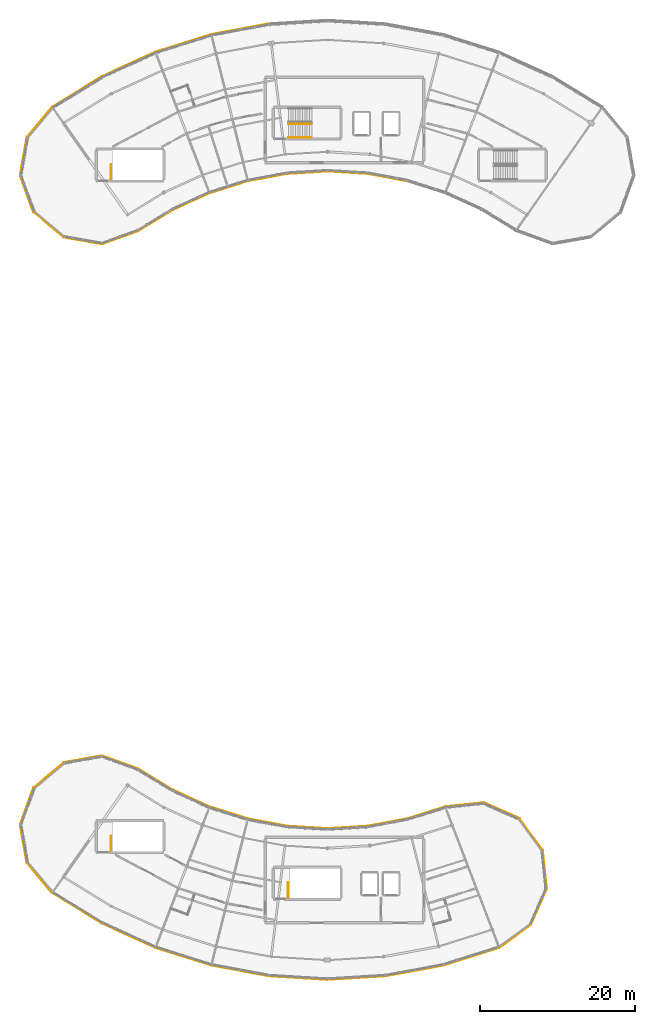
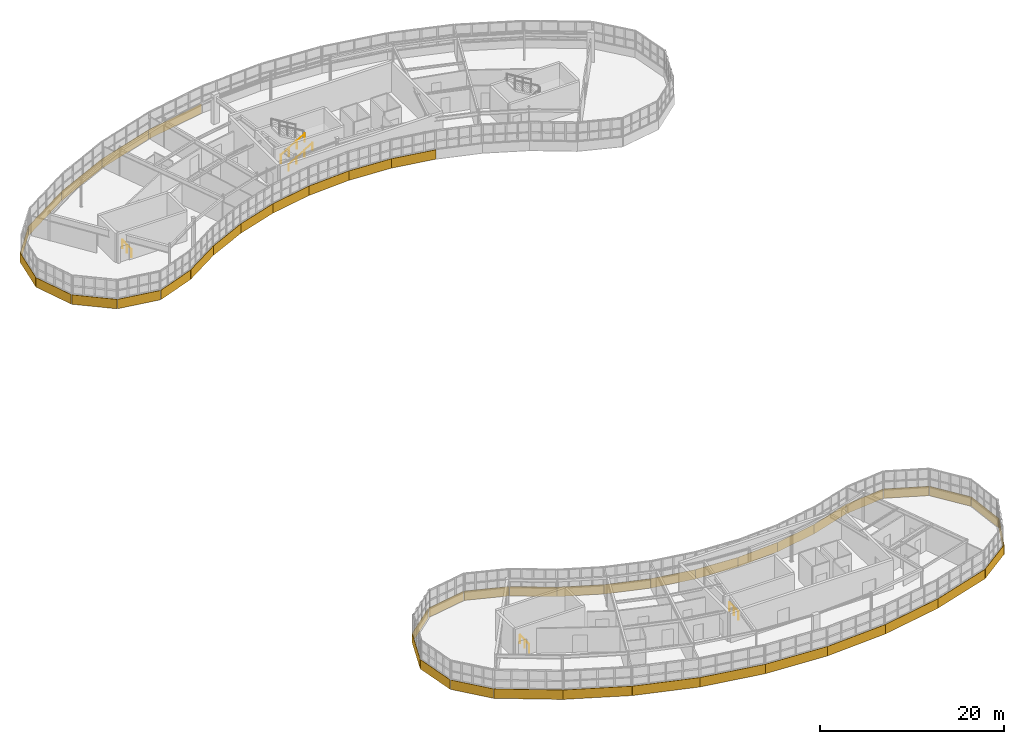
# One storey, part 58 of 60: 45 coverings, 5 railings.
"""IFC4 building model written with IfcOpenShell, lengths in metres."""

from ifc_helpers import new_model, si_unit, direction, frame, origin, origin_2d, place, context, subcontext, project, spatial, rectangle, circle, extrude, material, layer, layer_set, type_object, element, save


model = new_model("IFC4")

# Units and contexts
model_context = context("Model", 3, precision=1e-05, world=origin(), true_north=direction((0.0, 1.0)))
body_context = subcontext(model_context, "Body", "Model", "MODEL_VIEW")
ifc_project = project(units=[si_unit("LENGTHUNIT", "METRE"), si_unit("AREAUNIT", "SQUARE_METRE"), si_unit("VOLUMEUNIT", "CUBIC_METRE"), si_unit("PLANEANGLEUNIT", "RADIAN"), si_unit("MASSUNIT", "GRAM", prefix="KILO")], contexts=[model_context])

# Site, building, storey
site_placement = place(None, origin())
site = spatial("IfcSite", under=ifc_project, at=site_placement, CompositionType="ELEMENT")
building_placement = place(site_placement, origin())
building = spatial("IfcBuilding", under=site, at=building_placement, Name="Tarnwether General Hospital", CompositionType="ELEMENT")
storey_placement = place(building_placement, frame((0.0, 0.0, 26.10009765625)))
storey = spatial("IfcBuildingStorey", under=building, at=storey_placement, Name="L06", CompositionType="ELEMENT", Elevation=26.10009765625)

# Coverings
ifc_material_1 = material(Name="Streamlined white enamelled aluminium", Category="aluminium")
ifc_layer = layer(ifc_material_1, 0.044921875)
ifc_layer_set = layer_set([ifc_layer], Name="Streamlined white enamelled aluminium")
covering_type = type_object("IfcCoveringType", Name="CV-CLD-WHT", PredefinedType="CLADDING", material=ifc_layer_set)
covering_1_placement = place(storey_placement, frame((52.912109375, 107.22900390625, -0.175048828125), z_axis=(0.0, 0.0, 1.0), x_axis=(0.173459104952, 0.984841072919, 0.0)))
element("IfcCovering", 1, at=covering_1_placement, inside=storey, type_object=covering_type, Name="Streamlined White Horizontal Band NW L06 01", PredefinedType="CLADDING", context=body_context, shape_type="SweptSolid", body=[
    extrude(rectangle(XDim=4.968994140625, YDim=0.044921875, at=origin_2d()), origin(), (0.0, 0.0, 1.0), 1.25),
])
covering_2_placement = place(storey_placement, frame((53.3359375, 102.37890625, -0.175048828125), z_axis=(0.0, 0.0, 1.0), x_axis=(-0.341954539571, 0.939716496006, 0.0)))
element("IfcCovering", 2, at=covering_2_placement, inside=storey, type_object=covering_type, Name="Streamlined White Horizontal Band NW L06 02", PredefinedType="CLADDING", context=body_context, shape_type="SweptSolid", body=[
    extrude(rectangle(XDim=4.968017578125, YDim=0.044921875, at=origin_2d()), origin(), (0.0, 0.0, 1.0), 1.25),
])
for number, where, z_axis, x_axis, name in (
    (3, (56.12890625, 98.39111328125, -0.175048828125), (0.0, 0.0, 1.0), (-0.765988346401, 0.642854457228, 0.0), "Streamlined White Horizontal Band NW L06 03"),
    (4, (60.541015625, 96.333984375, -0.175048828125), (0.0, 0.0, 1.0), (-0.98480472213, 0.173665365778, 0.0), "Streamlined White Horizontal Band NW L06 04"),
):
    element("IfcCovering", number, at=place(storey_placement, frame(where, z_axis=z_axis, x_axis=x_axis)), inside=storey, type_object=covering_type, Name=name, PredefinedType="CLADDING", context=body_context, shape_type="SweptSolid", body=[
        extrude(rectangle(XDim=4.969970703125, YDim=0.044921875, at=origin_2d()), origin(), (0.0, 0.0, 1.0), 1.25),
    ])
covering_3_placement = place(storey_placement, frame((65.39111328125, 96.758056640625, -0.175048828125), z_axis=(0.0, 0.0, 1.0), x_axis=(-0.93965082813, -0.342134945884, 0.0)))
element("IfcCovering", 5, at=covering_3_placement, inside=storey, type_object=covering_type, Name="Streamlined White Horizontal Band NW L06 05", PredefinedType="CLADDING", context=body_context, shape_type="SweptSolid", body=[
    extrude(rectangle(XDim=4.968994140625, YDim=0.044921875, at=origin_2d()), origin(), (0.0, 0.0, 1.0), 1.25),
])
for number, where, z_axis, x_axis, name in (
    (6, (69.9560546875, 98.971923828125, -0.175048828125), (0.0, 0.0, 1.0), (-0.852631044904, -0.522513446015, 0.0), "Streamlined White Horizontal Band NW L06 06"),
    (7, (74.50390625, 101.389892578125, -0.175048828125), (0.0, 0.0, 1.0), (-0.909954032975, -0.414709124413, 0.0), "Streamlined White Horizontal Band NW L06 07"),
):
    element("IfcCovering", number, at=place(storey_placement, frame(where, z_axis=z_axis, x_axis=x_axis)), inside=storey, type_object=covering_type, Name=name, PredefinedType="CLADDING", context=body_context, shape_type="SweptSolid", body=[
        extrude(rectangle(XDim=5.177001953125, YDim=0.044921875, at=origin_2d()), origin(), (0.0, 0.0, 1.0), 1.25),
    ])
covering_4_placement = place(storey_placement, frame((79.31396484375, 103.237060546875, -0.175048828125), z_axis=(0.0, 0.0, 1.0), x_axis=(-0.953711702297, -0.300722444959, 0.0)))
element("IfcCovering", 8, at=covering_4_placement, inside=storey, type_object=covering_type, Name="Streamlined White Horizontal Band NW L06 08", PredefinedType="CLADDING", context=body_context, shape_type="SweptSolid", body=[
    extrude(rectangle(XDim=5.177978515625, YDim=0.044921875, at=origin_2d()), origin(), (0.0, 0.0, 1.0), 1.25),
])
for number, where, z_axis, x_axis, name in (
    (9, (84.31201171875, 104.48291015625, -0.175048828125), (0.0, 0.0, 1.0), (-0.983267627608, -0.182166880906, 0.0), "Streamlined White Horizontal Band NW L06 09"),
    (10, (89.425048828125, 105.110107421875, -0.175048828125), (0.0, 0.0, 1.0), (-0.998134798422, -0.061048539535, 0.0), "Streamlined White Horizontal Band NW L06 10"),
    (11, (94.574951171875, 105.110107421875, -0.175048828125), (0.0, 0.0, 1.0), (-0.998134798422, 0.061048539535, 0.0), "Streamlined White Horizontal Band NW L06 11"),
    (12, (99.68798828125, 104.48291015625, -0.175048828125), (0.0, 0.0, 1.0), (-0.983267627608, 0.182166880906, 0.0), "Streamlined White Horizontal Band NW L06 12"),
):
    element("IfcCovering", number, at=place(storey_placement, frame(where, z_axis=z_axis, x_axis=x_axis)), inside=storey, type_object=covering_type, Name=name, PredefinedType="CLADDING", context=body_context, shape_type="SweptSolid", body=[
        extrude(rectangle(XDim=5.177001953125, YDim=0.044921875, at=origin_2d()), origin(), (0.0, 0.0, 1.0), 1.25),
    ])
for number, where, z_axis, x_axis, name in (
    (13, (80.77099609375, 123.5849609375, -0.175048828125), (0.0, 0.0, 1.0), (0.983245364386, 0.182287008349, 0.0), "Streamlined White Horizontal Band NW L06 28"),
    (14, (73.471923828125, 121.764892578125, -0.175048828125), (0.0, 0.0, 1.0), (0.953743188648, 0.300622570855, 0.0), "Streamlined White Horizontal Band NW L06 29"),
    (15, (66.447998046875, 119.070068359375, -0.175048828125), (0.0, 0.0, 1.0), (0.909961270877, 0.414693242656, 0.0), "Streamlined White Horizontal Band NW L06 30"),
    (16, (59.805908203125, 115.5380859375, -0.175048828125), (0.0, 0.0, 1.0), (0.852631044904, 0.522513446015, 0.0), "Streamlined White Horizontal Band NW L06 31"),
):
    element("IfcCovering", number, at=place(storey_placement, frame(where, z_axis=z_axis, x_axis=x_axis)), inside=storey, type_object=covering_type, Name=name, PredefinedType="CLADDING", context=body_context, shape_type="SweptSolid", body=[
        extrude(rectangle(XDim=7.52099609375, YDim=0.044921875, at=origin_2d()), origin(), (0.0, 0.0, 1.0), 1.25),
    ])
covering_5_placement = place(storey_placement, frame((54.968994140625, 111.64111328125, -0.175048828125), z_axis=(0.0, 0.0, 1.0), x_axis=(0.642854457228, 0.765988346401, 0.0)))
element("IfcCovering", 17, at=covering_5_placement, inside=storey, type_object=covering_type, Name="Streamlined White Horizontal Band NW L06 32", PredefinedType="CLADDING", context=body_context, shape_type="SweptSolid", body=[
    extrude(rectangle(XDim=4.969970703125, YDim=0.044921875, at=origin_2d()), origin(), (0.0, 0.0, 1.0), 1.25),
])
for number, where, z_axis, x_axis, name in (
    (18, (59.805908203125, 10.4619140625, -0.175048828125), (0.0, 0.0, 1.0), (-0.852631044904, 0.522513446015, 0.0), "Streamlined White Horizontal Band SE L06 01"),
    (19, (66.447998046875, 6.929931640625, -0.175048828125), (0.0, 0.0, 1.0), (-0.909961270877, 0.414693242656, 0.0), "Streamlined White Horizontal Band SE L06 02"),
    (20, (73.471923828125, 4.235107421875, -0.175048828125), (0.0, 0.0, 1.0), (-0.953743188648, 0.300622570855, 0.0), "Streamlined White Horizontal Band SE L06 03"),
    (21, (80.77099609375, 2.4150390625, -0.175048828125), (0.0, 0.0, 1.0), (-0.983245364386, 0.182287008349, 0.0), "Streamlined White Horizontal Band SE L06 04"),
    (22, (88.238037109375, 1.498046875, -0.175048828125), (0.0, 0.0, 1.0), (-0.998135863768, 0.061031118787, 0.0), "Streamlined White Horizontal Band SE L06 05"),
    (23, (95.761962890625, 1.498046875, -0.175048828125), (0.0, 0.0, 1.0), (-0.998135863768, -0.061031118787, 0.0), "Streamlined White Horizontal Band SE L06 06"),
    (24, (103.22900390625, 2.4150390625, -0.175048828125), (0.0, 0.0, 1.0), (-0.983245364386, -0.182287008349, 0.0), "Streamlined White Horizontal Band SE L06 07"),
    (25, (110.528076171875, 4.235107421875, -0.175048828125), (0.0, 0.0, 1.0), (-0.953743188648, -0.300622570855, 0.0), "Streamlined White Horizontal Band SE L06 08"),
):
    element("IfcCovering", number, at=place(storey_placement, frame(where, z_axis=z_axis, x_axis=x_axis)), inside=storey, type_object=covering_type, Name=name, PredefinedType="CLADDING", context=body_context, shape_type="SweptSolid", body=[
        extrude(rectangle(XDim=7.52099609375, YDim=0.044921875, at=origin_2d()), origin(), (0.0, 0.0, 1.0), 1.25),
    ])
for number, where, z_axis, x_axis, name in (
    (26, (116.1630859375, 6.844970703125, -0.175048828125), (0.0, 0.0, 1.0), (-0.809058027555, -0.587728770819, 0.0), "Streamlined White Horizontal Band SE L06 09"),
    (27, (119.22705078125, 10.6279296875, -0.175048828125), (0.0, 0.0, 1.0), (-0.40667286458, -0.913573850991, 0.0), "Streamlined White Horizontal Band SE L06 10"),
):
    element("IfcCovering", number, at=place(storey_placement, frame(where, z_axis=z_axis, x_axis=x_axis)), inside=storey, type_object=covering_type, Name=name, PredefinedType="CLADDING", context=body_context, shape_type="SweptSolid", body=[
        extrude(rectangle(XDim=4.969970703125, YDim=0.044921875, at=origin_2d()), origin(), (0.0, 0.0, 1.0), 1.25),
    ])
for number, where, z_axis, x_axis, name in (
    (28, (119.989013671875, 15.43701171875, -0.175048828125), (0.0, 0.0, 1.0), (0.104441674462, -0.994531013411, 0.0), "Streamlined White Horizontal Band SE L06 11"),
    (29, (118.243896484375, 19.98193359375, -0.175048828125), (0.0, 0.0, 1.0), (0.587827611517, -0.808986216902, 0.0), "Streamlined White Horizontal Band SE L06 12"),
):
    element("IfcCovering", number, at=place(storey_placement, frame(where, z_axis=z_axis, x_axis=x_axis)), inside=storey, type_object=covering_type, Name=name, PredefinedType="CLADDING", context=body_context, shape_type="SweptSolid", body=[
        extrude(rectangle(XDim=4.968994140625, YDim=0.044921875, at=origin_2d()), origin(), (0.0, 0.0, 1.0), 1.25),
    ])
covering_6_placement = place(storey_placement, frame((114.4609375, 23.0458984375, -0.175048828125), z_axis=(0.0, 0.0, 1.0), x_axis=(0.91349575857, -0.406848250673, 0.0)))
element("IfcCovering", 30, at=covering_6_placement, inside=storey, type_object=covering_type, Name="Streamlined White Horizontal Band SE L06 13", PredefinedType="CLADDING", context=body_context, shape_type="SweptSolid", body=[
    extrude(rectangle(XDim=4.969970703125, YDim=0.044921875, at=origin_2d()), origin(), (0.0, 0.0, 1.0), 1.25),
])
covering_7_placement = place(storey_placement, frame((109.652099609375, 23.806884765625, -0.175048828125), z_axis=(0.0, 0.0, 1.0), x_axis=(0.994509117385, 0.104649966258, 0.0)))
element("IfcCovering", 31, at=covering_7_placement, inside=storey, type_object=covering_type, Name="Streamlined White Horizontal Band SE L06 14", PredefinedType="CLADDING", context=body_context, shape_type="SweptSolid", body=[
    extrude(rectangle(XDim=4.968994140625, YDim=0.044921875, at=origin_2d()), origin(), (0.0, 0.0, 1.0), 1.25),
])
covering_8_placement = place(storey_placement, frame((104.68603515625, 22.762939453125, -0.175048828125), z_axis=(0.0, 0.0, 1.0), x_axis=(0.953711702297, 0.300722444959, 0.0)))
element("IfcCovering", 32, at=covering_8_placement, inside=storey, type_object=covering_type, Name="Streamlined White Horizontal Band SE L06 15", PredefinedType="CLADDING", context=body_context, shape_type="SweptSolid", body=[
    extrude(rectangle(XDim=5.177978515625, YDim=0.044921875, at=origin_2d()), origin(), (0.0, 0.0, 1.0), 1.25),
])
for number, where, z_axis, x_axis, name in (
    (33, (99.68798828125, 21.51708984375, -0.175048828125), (0.0, 0.0, 1.0), (0.983267627608, 0.182166880906, 0.0), "Streamlined White Horizontal Band SE L06 16"),
    (34, (94.574951171875, 20.889892578125, -0.175048828125), (0.0, 0.0, 1.0), (0.998134798422, 0.061048539535, 0.0), "Streamlined White Horizontal Band SE L06 17"),
    (35, (89.425048828125, 20.889892578125, -0.175048828125), (0.0, 0.0, 1.0), (0.998134798422, -0.061048539535, 0.0), "Streamlined White Horizontal Band SE L06 18"),
    (36, (84.31201171875, 21.51708984375, -0.175048828125), (0.0, 0.0, 1.0), (0.983267627608, -0.182166880906, 0.0), "Streamlined White Horizontal Band SE L06 19"),
):
    element("IfcCovering", number, at=place(storey_placement, frame(where, z_axis=z_axis, x_axis=x_axis)), inside=storey, type_object=covering_type, Name=name, PredefinedType="CLADDING", context=body_context, shape_type="SweptSolid", body=[
        extrude(rectangle(XDim=5.177001953125, YDim=0.044921875, at=origin_2d()), origin(), (0.0, 0.0, 1.0), 1.25),
    ])
covering_9_placement = place(storey_placement, frame((79.31396484375, 22.762939453125, -0.175048828125), z_axis=(0.0, 0.0, 1.0), x_axis=(0.953711702297, -0.300722444959, 0.0)))
element("IfcCovering", 37, at=covering_9_placement, inside=storey, type_object=covering_type, Name="Streamlined White Horizontal Band SE L06 20", PredefinedType="CLADDING", context=body_context, shape_type="SweptSolid", body=[
    extrude(rectangle(XDim=5.177978515625, YDim=0.044921875, at=origin_2d()), origin(), (0.0, 0.0, 1.0), 1.25),
])
for number, where, z_axis, x_axis, name in (
    (38, (74.50390625, 24.610107421875, -0.175048828125), (0.0, 0.0, 1.0), (0.909954032975, -0.414709124413, 0.0), "Streamlined White Horizontal Band SE L06 21"),
    (39, (69.9560546875, 27.028076171875, -0.175048828125), (0.0, 0.0, 1.0), (0.852631044904, -0.522513446015, 0.0), "Streamlined White Horizontal Band SE L06 22"),
):
    element("IfcCovering", number, at=place(storey_placement, frame(where, z_axis=z_axis, x_axis=x_axis)), inside=storey, type_object=covering_type, Name=name, PredefinedType="CLADDING", context=body_context, shape_type="SweptSolid", body=[
        extrude(rectangle(XDim=5.177001953125, YDim=0.044921875, at=origin_2d()), origin(), (0.0, 0.0, 1.0), 1.25),
    ])
covering_10_placement = place(storey_placement, frame((65.39111328125, 29.241943359375, -0.175048828125), z_axis=(0.0, 0.0, 1.0), x_axis=(0.93965082813, -0.342134945884, 0.0)))
element("IfcCovering", 40, at=covering_10_placement, inside=storey, type_object=covering_type, Name="Streamlined White Horizontal Band SE L06 23", PredefinedType="CLADDING", context=body_context, shape_type="SweptSolid", body=[
    extrude(rectangle(XDim=4.968994140625, YDim=0.044921875, at=origin_2d()), origin(), (0.0, 0.0, 1.0), 1.25),
])
for number, where, z_axis, x_axis, name in (
    (41, (60.541015625, 29.666015625, -0.175048828125), (0.0, 0.0, 1.0), (0.98480472213, 0.173665365778, 0.0), "Streamlined White Horizontal Band SE L06 24"),
    (42, (56.12890625, 27.60888671875, -0.175048828125), (0.0, 0.0, 1.0), (0.765988346401, 0.642854457228, 0.0), "Streamlined White Horizontal Band SE L06 25"),
):
    element("IfcCovering", number, at=place(storey_placement, frame(where, z_axis=z_axis, x_axis=x_axis)), inside=storey, type_object=covering_type, Name=name, PredefinedType="CLADDING", context=body_context, shape_type="SweptSolid", body=[
        extrude(rectangle(XDim=4.969970703125, YDim=0.044921875, at=origin_2d()), origin(), (0.0, 0.0, 1.0), 1.25),
    ])
covering_11_placement = place(storey_placement, frame((53.3359375, 23.62109375, -0.175048828125), z_axis=(0.0, 0.0, 1.0), x_axis=(0.341954539571, 0.939716496006, 0.0)))
element("IfcCovering", 43, at=covering_11_placement, inside=storey, type_object=covering_type, Name="Streamlined White Horizontal Band SE L06 26", PredefinedType="CLADDING", context=body_context, shape_type="SweptSolid", body=[
    extrude(rectangle(XDim=4.968017578125, YDim=0.044921875, at=origin_2d()), origin(), (0.0, 0.0, 1.0), 1.25),
])
covering_12_placement = place(storey_placement, frame((52.912109375, 18.77099609375, -0.175048828125), z_axis=(0.0, 0.0, 1.0), x_axis=(-0.173459104952, 0.984841072919, 0.0)))
element("IfcCovering", 44, at=covering_12_placement, inside=storey, type_object=covering_type, Name="Streamlined White Horizontal Band SE L06 27", PredefinedType="CLADDING", context=body_context, shape_type="SweptSolid", body=[
    extrude(rectangle(XDim=4.968994140625, YDim=0.044921875, at=origin_2d()), origin(), (0.0, 0.0, 1.0), 1.25),
])
covering_13_placement = place(storey_placement, frame((54.968994140625, 14.35888671875, -0.175048828125), z_axis=(0.0, 0.0, 1.0), x_axis=(-0.642854457228, 0.765988346401, 0.0)))
element("IfcCovering", 45, at=covering_13_placement, inside=storey, type_object=covering_type, Name="Streamlined White Horizontal Band SE L06 28", PredefinedType="CLADDING", context=body_context, shape_type="SweptSolid", body=[
    extrude(rectangle(XDim=4.969970703125, YDim=0.044921875, at=origin_2d()), origin(), (0.0, 0.0, 1.0), 1.25),
])

# Railings
ifc_material_2 = material(Name="Anodised aluminium", Category="aluminium")
railing_type_1 = type_object("IfcRailingType", Name="RL-GRD-INT", PredefinedType="GUARDRAIL", material=ifc_material_2)
railing_1_placement = place(storey_placement, frame((87.0, 111.35009765625, 0.17724609375)))
element("IfcRailing", 46, at=railing_1_placement, inside=storey, type_object=railing_type_1, Name="L06 ST-01 stair guard 1", PredefinedType="GUARDRAIL", context=body_context, shape_type="SweptSolid", body=[
    extrude(circle(Radius=0.02392578125, at=origin_2d()), frame((0.0, 0.0, 1.076171875), z_axis=(0.86092931783, 0.0, 0.508724591208), x_axis=(0.0, 1.0, 0.0)), (0.0, 0.0, 1.0), 3.484619140625),
    extrude(circle(Radius=0.02099609375, at=origin_2d()), origin(), (0.0, 0.0, 1.0), 1.052001953125),
    extrude(circle(Radius=0.02099609375, at=origin_2d()), frame((1.0, 0.0, 0.5908203125)), (0.0, 0.0, 1.0), 1.052001953125),
    extrude(circle(Radius=0.02099609375, at=origin_2d()), frame((2.0, 0.0, 1.181884765625)), (0.0, 0.0, 1.0), 1.052001953125),
    extrude(circle(Radius=0.02099609375, at=origin_2d()), frame((3.0, 0.0, 1.772705078125)), (0.0, 0.0, 1.0), 1.052001953125),
])
for number, where, name in (
    (47, (86.949951171875, 11.800048828125, 0.0), "L06 ST-02 top well guard 1"),
    (48, (64.14990234375, 104.199951171875, 0.0), "L06 ST-07 top well guard 1"),
    (49, (64.14990234375, 17.800048828125, 0.0), "L06 ST-09 top well guard 1"),
):
    element("IfcRailing", number, at=place(storey_placement, frame(where)), inside=storey, type_object=railing_type_1, Name=name, PredefinedType="GUARDRAIL", context=body_context, shape_type="SweptSolid", body=[
        extrude(circle(Radius=0.02392578125, at=origin_2d()), frame((0.0, 0.0, 1.076171875), z_axis=(0.0, 1.0, 0.0), x_axis=(-1.0, 0.0, 0.0)), (0.0, 0.0, 1.0), 2.0),
        extrude(circle(Radius=0.02099609375, at=origin_2d()), origin(), (0.0, 0.0, 1.0), 1.052001953125),
        extrude(circle(Radius=0.02099609375, at=origin_2d()), frame((0.0, 1.0, 0.0)), (0.0, 0.0, 1.0), 1.052001953125),
        extrude(circle(Radius=0.02099609375, at=origin_2d()), frame((0.0, 2.0, 0.0)), (0.0, 0.0, 1.0), 1.052001953125),
    ])
ifc_material_3 = material(Name="Anodised aluminium", Category="aluminium")
railing_type_2 = type_object("IfcRailingType", Name="RL-HND-INT", PredefinedType="HANDRAIL", material=ifc_material_3)
railing_2_placement = place(storey_placement, frame((87.0, 109.64990234375, 0.17724609375)))
element("IfcRailing", 50, at=railing_2_placement, inside=storey, type_object=railing_type_2, Name="L06 ST-01 stair handrail 1", PredefinedType="HANDRAIL", context=body_context, shape_type="SweptSolid", body=[
    extrude(circle(Radius=0.02392578125, at=origin_2d()), frame((0.0, 0.0, 0.8759765625), z_axis=(0.86092931783, 0.0, 0.508724591208), x_axis=(0.0, 1.0, 0.0)), (0.0, 0.0, 1.0), 3.484619140625),
    extrude(circle(Radius=0.02099609375, at=origin_2d()), origin(), (0.0, 0.0, 1.0), 0.851806640625),
    extrude(circle(Radius=0.02099609375, at=origin_2d()), frame((1.0, 0.0, 0.5908203125)), (0.0, 0.0, 1.0), 0.851806640625),
    extrude(circle(Radius=0.02099609375, at=origin_2d()), frame((2.0, 0.0, 1.181884765625)), (0.0, 0.0, 1.0), 0.851806640625),
    extrude(circle(Radius=0.02099609375, at=origin_2d()), frame((3.0, 0.0, 1.772705078125)), (0.0, 0.0, 1.0), 0.851806640625),
])

save(model, "model.ifc")
